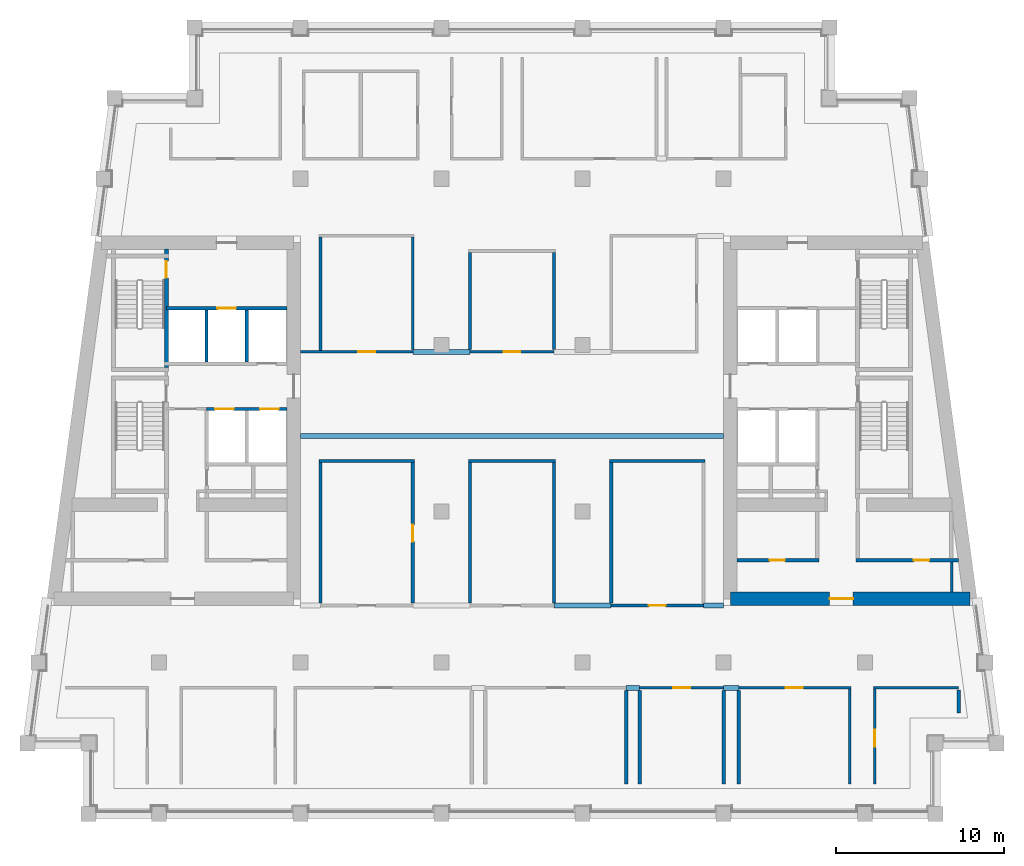
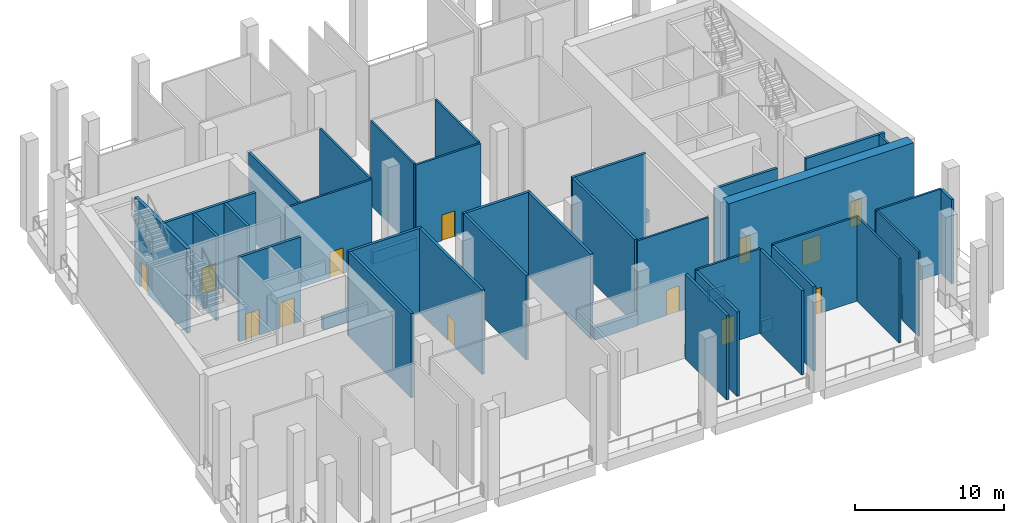
# One storey, part 3 of 10: 40 walls, 14 doors, 14 openings.
"""IFC4 building model written with IfcOpenShell, lengths in metres."""

from ifc_helpers import new_model, si_unit, direction, frame, frame_2d, origin, place, context, subcontext, project, spatial, rectangle, extrude, material, layer, layer_set, type_object, element, fill, save


model = new_model("IFC4")

# Units and contexts
model_context = context("Model", 3, precision=1e-05, world=origin(), true_north=direction((0.0, 1.0)))
body_context = subcontext(model_context, "Body", "Model", "MODEL_VIEW")
ifc_project = project(units=[si_unit("LENGTHUNIT", "METRE"), si_unit("AREAUNIT", "SQUARE_METRE"), si_unit("VOLUMEUNIT", "CUBIC_METRE"), si_unit("PLANEANGLEUNIT", "RADIAN"), si_unit("MASSUNIT", "GRAM", prefix="KILO")], contexts=[model_context])

# Site, building, storey
site_placement = place(None, origin())
site = spatial("IfcSite", under=ifc_project, at=site_placement, CompositionType="ELEMENT")
building_placement = place(site_placement, origin())
building = spatial("IfcBuilding", under=site, at=building_placement, Name="Candeia Pilgrim Tower and Theatre", CompositionType="ELEMENT")
storey_placement = place(building_placement, frame((0.0, 0.0, 246.60009765625)))
storey = spatial("IfcBuildingStorey", under=building, at=storey_placement, Name="L60", CompositionType="ELEMENT", Elevation=246.60009765625)

# Wall, opening, door
ifc_material_1 = material(Name="Concrete C50/60", Category="concrete")
ifc_layer_1 = layer(ifc_material_1, 0.800048828125)
ifc_layer_set_1 = layer_set([ifc_layer_1], Name="Core wall 800 C50/60")
wall_type_1 = type_object("IfcWallType", Name="Core wall 800 C50/60", PredefinedType="SHEAR", material=ifc_layer_set_1)
wall_1_placement = place(storey_placement, frame((140.67333984375, 110.800048828125, 0.0), z_axis=(0.0, 0.0, 1.0), x_axis=(-1.0, 0.0, 0.0)))
wall_1 = element("IfcWall", 1, at=wall_1_placement, inside=storey, type_object=wall_type_1, Name="Core wall E3", PredefinedType="SHEAR", context=body_context, shape_type="SweptSolid", body=[
    extrude(rectangle(XDim=14.2734375, YDim=0.800048828125, at=frame_2d((7.13671875, 0.0))), origin(), (0.0, 0.0, 1.0), 7.39990234375),
])
opening_1_placement = place(wall_1_placement, frame((6.96533203125, 0.0, 0.0)))
opening_1 = element("IfcOpeningElement", 2, at=opening_1_placement, cuts=wall_1, Name="Opening L60-D037", PredefinedType="OPENING", context=body_context, shape_type="SweptSolid", body=[
    extrude(rectangle(XDim=1.39990234375, YDim=2.10009765625, at=frame_2d((0.699951171875, 1.050048828125))), frame((0.0, 0.41015625, 0.0), z_axis=(0.0, -1.0, 0.0), x_axis=(1.0, 0.0, 0.0)), (0.0, 0.0, 1.0), 0.820068359375),
])
ifc_material_2 = material(Name="Steel fire door set", Category="steel")
door_type_1 = type_object("IfcDoorType", Name="D-1400-FD60", OperationType="NOTDEFINED", PredefinedType="DOOR", material=ifc_material_2)
door_1_placement = place(opening_1_placement, origin())
door_1 = element("IfcDoor", 3, at=door_1_placement, inside=storey, type_object=door_type_1, Name="Door L60-D037", OperationType="SINGLE_SWING_LEFT", OverallHeight=2.10009765625, OverallWidth=1.39990234375, PredefinedType="DOOR", context=body_context, shape_type="SweptSolid", body=[
    extrude(rectangle(XDim=1.39990234375, YDim=2.10009765625, at=frame_2d((0.699951171875, 1.050048828125))), frame((0.0, 0.02490234375, 0.0), z_axis=(0.0, -1.0, 0.0), x_axis=(1.0, 0.0, 0.0)), (0.0, 0.0, 1.0), 0.050048828125),
])
fill(opening_1, door_1)

# Walls
ifc_material_3 = material(Name="Concrete C30/37", Category="concrete")
ifc_layer_2 = layer(ifc_material_3, 0.300048828125)
ifc_layer_set_2 = layer_set([ifc_layer_2], Name="PL-300 planter kerb")
wall_type_2 = type_object("IfcWallType", Name="PL-300 planter kerb", PredefinedType="PARTITIONING", material=ifc_layer_set_2)
wall_2_placement = place(storey_placement, frame((120.199951171875, 105.5, 0.0), z_axis=(0.0, 0.0, 1.0), x_axis=(1.0, 0.0, 0.0)))
element("IfcWall", 4, at=wall_2_placement, inside=storey, type_object=wall_type_2, Name="Planter kerb L60-002", PredefinedType="PARTITIONING", context=body_context, shape_type="SweptSolid", body=[
    extrude(rectangle(XDim=0.800048828125, YDim=0.300048828125, at=frame_2d((0.39990234375, 0.0))), origin(), (0.0, 0.0, 1.0), 1.0),
])
wall_3_placement = place(storey_placement, frame((126.0, 105.5, 0.0), z_axis=(0.0, 0.0, 1.0), x_axis=(1.0, 0.0, 0.0)))
element("IfcWall", 5, at=wall_3_placement, inside=storey, type_object=wall_type_2, Name="Planter kerb L60-003", PredefinedType="PARTITIONING", context=body_context, shape_type="SweptSolid", body=[
    extrude(rectangle(XDim=0.89990234375, YDim=0.300048828125, at=frame_2d((0.449951171875, 0.0))), origin(), (0.0, 0.0, 1.0), 1.0),
])
wall_4_placement = place(storey_placement, frame((115.89990234375, 110.39990234375, 0.0), z_axis=(0.0, 0.0, 1.0), x_axis=(1.0, 0.0, 0.0)))
element("IfcWall", 6, at=wall_4_placement, inside=storey, type_object=wall_type_2, Name="Planter kerb L60-013", PredefinedType="PARTITIONING", context=body_context, shape_type="SweptSolid", body=[
    extrude(rectangle(XDim=3.400146484375, YDim=0.300048828125, at=frame_2d((1.7001953125, 0.0))), origin(), (0.0, 0.0, 1.0), 1.0),
])
wall_5_placement = place(storey_placement, frame((124.800048828125, 110.39990234375, 0.0), z_axis=(0.0, 0.0, 1.0), x_axis=(1.0, 0.0, 0.0)))
element("IfcWall", 7, at=wall_5_placement, inside=storey, type_object=wall_type_2, Name="Planter kerb L60-014", PredefinedType="PARTITIONING", context=body_context, shape_type="SweptSolid", body=[
    extrude(rectangle(XDim=1.199951171875, YDim=0.300048828125, at=frame_2d((0.60009765625, 0.0))), origin(), (0.0, 0.0, 1.0), 1.0),
])
wall_6_placement = place(storey_placement, frame((100.800048828125, 120.5, 0.0), z_axis=(0.0, 0.0, 1.0), x_axis=(1.0, 0.0, 0.0)))
element("IfcWall", 8, at=wall_6_placement, inside=storey, type_object=wall_type_2, Name="Planter kerb L60-033", PredefinedType="PARTITIONING", context=body_context, shape_type="SweptSolid", body=[
    extrude(rectangle(XDim=25.199951171875, YDim=0.300048828125, at=frame_2d((12.60009765625, 0.0))), origin(), (0.0, 0.0, 1.0), 1.0),
])
wall_7_placement = place(storey_placement, frame((107.5, 125.5, 0.0), z_axis=(0.0, 0.0, 1.0), x_axis=(1.0, 0.0, 0.0)))
element("IfcWall", 9, at=wall_7_placement, inside=storey, type_object=wall_type_2, Name="Planter kerb L60-045", PredefinedType="PARTITIONING", context=body_context, shape_type="SweptSolid", body=[
    extrude(rectangle(XDim=3.39990234375, YDim=0.300048828125, at=frame_2d((1.699951171875, 0.0))), origin(), (0.0, 0.0, 1.0), 1.0),
])
ifc_material_4 = material(Name="Gypsum board partition on steel studs", Category="steel")
ifc_layer_3 = layer(ifc_material_4, 0.14990234375)
ifc_layer_set_3 = layer_set([ifc_layer_3], Name="PW-150 lobby wall")
wall_type_3 = type_object("IfcWallType", Name="PW-150 lobby wall", PredefinedType="PARTITIONING", material=ifc_layer_set_3)
wall_8_placement = place(storey_placement, frame((139.572998046875, 111.199951171875, 0.0), z_axis=(0.0, 0.0, 1.0), x_axis=(0.0, 1.0, 0.0)))
element("IfcWall", 10, at=wall_8_placement, inside=storey, type_object=wall_type_3, Name="Lobby wall L60-135", PredefinedType="PARTITIONING", context=body_context, shape_type="SweptSolid", body=[
    extrude(rectangle(XDim=1.800048828125, YDim=0.14990234375, at=frame_2d((0.89990234375, 0.0))), origin(), (0.0, 0.0, 1.0), 6.89990234375),
])

# Wall, opening, door
ifc_layer_4 = layer(ifc_material_4, 0.14990234375)
ifc_layer_set_4 = layer_set([ifc_layer_4], Name="PW-150 unit wall")
wall_type_4 = type_object("IfcWallType", Name="PW-150 unit wall", PredefinedType="PARTITIONING", material=ifc_layer_set_4)
wall_9_placement = place(storey_placement, frame((121.0, 105.5, 0.0), z_axis=(0.0, 0.0, 1.0), x_axis=(1.0, 0.0, 0.0)))
wall_9 = element("IfcWall", 11, at=wall_9_placement, inside=storey, type_object=wall_type_4, Name="Unit wall L60-008", PredefinedType="PARTITIONING", context=body_context, shape_type="SweptSolid", body=[
    extrude(rectangle(XDim=5.0, YDim=0.14990234375, at=frame_2d((2.5, 0.0))), origin(), (0.0, 0.0, 1.0), 6.89990234375),
])
opening_2_placement = place(wall_9_placement, frame((2.0, 0.0, 0.0)))
opening_2 = element("IfcOpeningElement", 12, at=opening_2_placement, cuts=wall_9, Name="Opening L60-D002", PredefinedType="OPENING", context=body_context, shape_type="SweptSolid", body=[
    extrude(rectangle(XDim=1.0, YDim=2.10009765625, at=frame_2d((0.5, 1.050048828125))), frame((0.0, 0.0849609375, 0.0), z_axis=(0.0, -1.0, 0.0), x_axis=(1.0, 0.0, 0.0)), (0.0, 0.0, 1.0), 0.169921875),
])
ifc_material_5 = material(Name="Timber door leaf", Category="wood")
door_type_2 = type_object("IfcDoorType", Name="D-1000", OperationType="NOTDEFINED", PredefinedType="DOOR", material=ifc_material_5)
door_2_placement = place(opening_2_placement, origin())
door_2 = element("IfcDoor", 13, at=door_2_placement, inside=storey, type_object=door_type_2, Name="Door L60-D002", OperationType="SINGLE_SWING_RIGHT", OverallHeight=2.10009765625, OverallWidth=1.0, PredefinedType="DOOR", context=body_context, shape_type="SweptSolid", body=[
    extrude(rectangle(XDim=1.0, YDim=2.10009765625, at=frame_2d((0.5, 1.050048828125))), frame((0.0, 0.02490234375, 0.0), z_axis=(0.0, -1.0, 0.0), x_axis=(1.0, 0.0, 0.0)), (0.0, 0.0, 1.0), 0.050048828125),
])
fill(opening_2, door_2)

wall_10_placement = place(storey_placement, frame((126.89990234375, 105.5, 0.0), z_axis=(0.0, 0.0, 1.0), x_axis=(1.0, 0.0, 0.0)))
wall_10 = element("IfcWall", 14, at=wall_10_placement, inside=storey, type_object=wall_type_4, Name="Unit wall L60-009", PredefinedType="PARTITIONING", context=body_context, shape_type="SweptSolid", body=[
    extrude(rectangle(XDim=6.675048828125, YDim=0.14990234375, at=frame_2d((3.33740234375, 0.0))), origin(), (0.0, 0.0, 1.0), 6.89990234375),
])
opening_3_placement = place(wall_10_placement, frame((2.800048828125, 0.0, 0.0)))
opening_3 = element("IfcOpeningElement", 15, at=opening_3_placement, cuts=wall_10, Name="Opening L60-D012", PredefinedType="OPENING", context=body_context, shape_type="SweptSolid", body=[
    extrude(rectangle(XDim=1.0, YDim=2.10009765625, at=frame_2d((0.5, 1.050048828125))), frame((0.0, 0.0849609375, 0.0), z_axis=(0.0, -1.0, 0.0), x_axis=(1.0, 0.0, 0.0)), (0.0, 0.0, 1.0), 0.169921875),
])
door_3_placement = place(opening_3_placement, origin())
door_3 = element("IfcDoor", 16, at=door_3_placement, inside=storey, type_object=door_type_2, Name="Door L60-D012", OperationType="SINGLE_SWING_RIGHT", OverallHeight=2.10009765625, OverallWidth=1.0, PredefinedType="DOOR", context=body_context, shape_type="SweptSolid", body=[
    extrude(rectangle(XDim=1.0, YDim=2.10009765625, at=frame_2d((0.5, 1.050048828125))), frame((0.0, 0.02490234375, 0.0), z_axis=(0.0, -1.0, 0.0), x_axis=(1.0, 0.0, 0.0)), (0.0, 0.0, 1.0), 0.050048828125),
])
fill(opening_3, door_3)

# Wall
wall_11_placement = place(storey_placement, frame((134.925048828125, 105.5, 0.0), z_axis=(0.0, 0.0, 1.0), x_axis=(1.0, 0.0, 0.0)))
element("IfcWall", 17, at=wall_11_placement, inside=storey, type_object=wall_type_4, Name="Unit wall L60-010", PredefinedType="PARTITIONING", context=body_context, shape_type="SweptSolid", body=[
    extrude(rectangle(XDim=5.05908203125, YDim=0.14990234375, at=frame_2d((2.529541015625, 0.0))), origin(), (0.0, 0.0, 1.0), 6.89990234375),
])

# Wall, opening, door
wall_12_placement = place(storey_placement, frame((119.300048828125, 110.39990234375, 0.0), z_axis=(0.0, 0.0, 1.0), x_axis=(1.0, 0.0, 0.0)))
wall_12 = element("IfcWall", 18, at=wall_12_placement, inside=storey, type_object=wall_type_4, Name="Unit wall L60-017", PredefinedType="PARTITIONING", context=body_context, shape_type="SweptSolid", body=[
    extrude(rectangle(XDim=5.5, YDim=0.14990234375, at=frame_2d((2.75, 0.0))), origin(), (0.0, 0.0, 1.0), 6.89990234375),
])
opening_4_placement = place(wall_12_placement, frame((2.25, 0.0, 0.0)))
opening_4 = element("IfcOpeningElement", 19, at=opening_4_placement, cuts=wall_12, Name="Opening L60-D018", PredefinedType="OPENING", context=body_context, shape_type="SweptSolid", body=[
    extrude(rectangle(XDim=1.0, YDim=2.10009765625, at=frame_2d((0.5, 1.050048828125))), frame((0.0, 0.0849609375, 0.0), z_axis=(0.0, -1.0, 0.0), x_axis=(1.0, 0.0, 0.0)), (0.0, 0.0, 1.0), 0.169921875),
])
door_4_placement = place(opening_4_placement, origin())
door_4 = element("IfcDoor", 20, at=door_4_placement, inside=storey, type_object=door_type_2, Name="Door L60-D018", OperationType="SINGLE_SWING_RIGHT", OverallHeight=2.10009765625, OverallWidth=1.0, PredefinedType="DOOR", context=body_context, shape_type="SweptSolid", body=[
    extrude(rectangle(XDim=1.0, YDim=2.10009765625, at=frame_2d((0.5, 1.050048828125))), frame((0.0, 0.02490234375, 0.0), z_axis=(0.0, -1.0, 0.0), x_axis=(1.0, 0.0, 0.0)), (0.0, 0.0, 1.0), 0.050048828125),
])
fill(opening_4, door_4)

wall_13_placement = place(storey_placement, frame((100.800048828125, 125.5, 0.0), z_axis=(0.0, 0.0, 1.0), x_axis=(1.0, 0.0, 0.0)))
wall_13 = element("IfcWall", 21, at=wall_13_placement, inside=storey, type_object=wall_type_4, Name="Unit wall L60-047", PredefinedType="PARTITIONING", context=body_context, shape_type="SweptSolid", body=[
    extrude(rectangle(XDim=6.699951171875, YDim=0.14990234375, at=frame_2d((3.35009765625, 0.0))), origin(), (0.0, 0.0, 1.0), 6.89990234375),
])
opening_5_placement = place(wall_13_placement, frame((3.449951171875, 0.0, 0.0)))
opening_5 = element("IfcOpeningElement", 22, at=opening_5_placement, cuts=wall_13, Name="Opening L60-D019", PredefinedType="OPENING", context=body_context, shape_type="SweptSolid", body=[
    extrude(rectangle(XDim=1.0, YDim=2.10009765625, at=frame_2d((0.5, 1.050048828125))), frame((0.0, 0.0849609375, 0.0), z_axis=(0.0, -1.0, 0.0), x_axis=(1.0, 0.0, 0.0)), (0.0, 0.0, 1.0), 0.169921875),
])
door_5_placement = place(opening_5_placement, origin())
door_5 = element("IfcDoor", 23, at=door_5_placement, inside=storey, type_object=door_type_2, Name="Door L60-D019", OperationType="SINGLE_SWING_LEFT", OverallHeight=2.10009765625, OverallWidth=1.0, PredefinedType="DOOR", context=body_context, shape_type="SweptSolid", body=[
    extrude(rectangle(XDim=1.0, YDim=2.10009765625, at=frame_2d((0.5, 1.050048828125))), frame((0.0, 0.02490234375, 0.0), z_axis=(0.0, -1.0, 0.0), x_axis=(1.0, 0.0, 0.0)), (0.0, 0.0, 1.0), 0.050048828125),
])
fill(opening_5, door_5)

wall_14_placement = place(storey_placement, frame((110.89990234375, 125.5, 0.0), z_axis=(0.0, 0.0, 1.0), x_axis=(1.0, 0.0, 0.0)))
wall_14 = element("IfcWall", 24, at=wall_14_placement, inside=storey, type_object=wall_type_4, Name="Unit wall L60-048", PredefinedType="PARTITIONING", context=body_context, shape_type="SweptSolid", body=[
    extrude(rectangle(XDim=5.0, YDim=0.14990234375, at=frame_2d((2.5, 0.0))), origin(), (0.0, 0.0, 1.0), 6.89990234375),
])
opening_6_placement = place(wall_14_placement, frame((2.0, 0.0, 0.0)))
opening_6 = element("IfcOpeningElement", 25, at=opening_6_placement, cuts=wall_14, Name="Opening L60-D003", PredefinedType="OPENING", context=body_context, shape_type="SweptSolid", body=[
    extrude(rectangle(XDim=1.0, YDim=2.10009765625, at=frame_2d((0.5, 1.050048828125))), frame((0.0, 0.0849609375, 0.0), z_axis=(0.0, -1.0, 0.0), x_axis=(1.0, 0.0, 0.0)), (0.0, 0.0, 1.0), 0.169921875),
])
door_6_placement = place(opening_6_placement, origin())
door_6 = element("IfcDoor", 26, at=door_6_placement, inside=storey, type_object=door_type_2, Name="Door L60-D003", OperationType="SINGLE_SWING_LEFT", OverallHeight=2.10009765625, OverallWidth=1.0, PredefinedType="DOOR", context=body_context, shape_type="SweptSolid", body=[
    extrude(rectangle(XDim=1.0, YDim=2.10009765625, at=frame_2d((0.5, 1.050048828125))), frame((0.0, 0.02490234375, 0.0), z_axis=(0.0, -1.0, 0.0), x_axis=(1.0, 0.0, 0.0)), (0.0, 0.0, 1.0), 0.050048828125),
])
fill(opening_6, door_6)

# Walls
wall_15_placement = place(storey_placement, frame((107.5, 125.64990234375, 0.0), z_axis=(0.0, 0.0, 1.0), x_axis=(0.0, 1.0, 0.0)))
element("IfcWall", 27, at=wall_15_placement, inside=storey, type_object=wall_type_4, Name="Unit wall L60-094", PredefinedType="PARTITIONING", context=body_context, shape_type="SweptSolid", body=[
    extrude(rectangle(XDim=6.675048828125, YDim=0.14990234375, at=frame_2d((3.33740234375, 0.0))), origin(), (0.0, 0.0, 1.0), 6.89990234375),
])
for number, where, z_axis, x_axis, name in (
    (28, (110.89990234375, 125.64990234375, 0.0), (0.0, 0.0, 1.0), (0.0, 1.0, 0.0), "Unit wall L60-098"),
    (29, (115.89990234375, 125.64990234375, 0.0), (0.0, 0.0, 1.0), (0.0, 1.0, 0.0), "Unit wall L60-104"),
):
    element("IfcWall", number, at=place(storey_placement, frame(where, z_axis=z_axis, x_axis=x_axis)), inside=storey, type_object=wall_type_4, Name=name, PredefinedType="PARTITIONING", context=body_context, shape_type="SweptSolid", body=[
        extrude(rectangle(XDim=5.775146484375, YDim=0.14990234375, at=frame_2d((2.8876953125, 0.0))), origin(), (0.0, 0.0, 1.0), 6.89990234375),
    ])
wall_16_placement = place(storey_placement, frame((133.5, 99.7900390625, 0.0), z_axis=(0.0, 0.0, 1.0), x_axis=(0.0, 1.0, 0.0)))
element("IfcWall", 30, at=wall_16_placement, inside=storey, type_object=wall_type_4, Name="Unit wall L60-125", PredefinedType="PARTITIONING", context=body_context, shape_type="SweptSolid", body=[
    extrude(rectangle(XDim=5.635009765625, YDim=0.14990234375, at=frame_2d((2.8173828125, 0.0))), origin(), (0.0, 0.0, 1.0), 6.89990234375),
])

# Wall, opening, door
wall_17_placement = place(storey_placement, frame((135.0, 99.7900390625, 0.0), z_axis=(0.0, 0.0, 1.0), x_axis=(0.0, 1.0, 0.0)))
wall_17 = element("IfcWall", 31, at=wall_17_placement, inside=storey, type_object=wall_type_4, Name="Unit wall L60-131", PredefinedType="PARTITIONING", context=body_context, shape_type="SweptSolid", body=[
    extrude(rectangle(XDim=5.635009765625, YDim=0.14990234375, at=frame_2d((2.8173828125, 0.0))), origin(), (0.0, 0.0, 1.0), 6.89990234375),
])
opening_7_placement = place(wall_17_placement, frame((2.2099609375, 0.0, 0.0)))
opening_7 = element("IfcOpeningElement", 32, at=opening_7_placement, cuts=wall_17, Name="Opening L60-D013", PredefinedType="OPENING", context=body_context, shape_type="SweptSolid", body=[
    extrude(rectangle(XDim=1.0, YDim=2.10009765625, at=frame_2d((0.5, 1.050048828125))), frame((0.0, 0.0849609375, 0.0), z_axis=(0.0, -1.0, 0.0), x_axis=(1.0, 0.0, 0.0)), (0.0, 0.0, 1.0), 0.169921875),
])
door_7_placement = place(opening_7_placement, origin())
door_7 = element("IfcDoor", 33, at=door_7_placement, inside=storey, type_object=door_type_2, Name="Door L60-D013", OperationType="SINGLE_SWING_LEFT", OverallHeight=2.10009765625, OverallWidth=1.0, PredefinedType="DOOR", context=body_context, shape_type="SweptSolid", body=[
    extrude(rectangle(XDim=1.0, YDim=2.10009765625, at=frame_2d((0.5, 1.050048828125))), frame((0.0, 0.02490234375, 0.0), z_axis=(0.0, -1.0, 0.0), x_axis=(1.0, 0.0, 0.0)), (0.0, 0.0, 1.0), 0.050048828125),
])
fill(opening_7, door_7)

# Walls
ifc_layer_5 = layer(ifc_material_4, 0.199951171875)
ifc_layer_set_5 = layer_set([ifc_layer_5], Name="PW-200 party wall")
wall_type_5 = type_object("IfcWallType", Name="PW-200 party wall", PredefinedType="PARTITIONING", material=ifc_layer_set_5)
wall_18_placement = place(storey_placement, frame((101.89990234375, 119.0, 0.0), z_axis=(0.0, 0.0, 1.0), x_axis=(1.0, 0.0, 0.0)))
element("IfcWall", 34, at=wall_18_placement, inside=storey, type_object=wall_type_5, Name="Party wall L60-030", PredefinedType="PARTITIONING", context=body_context, shape_type="SweptSolid", body=[
    extrude(rectangle(XDim=5.7001953125, YDim=0.199951171875, at=frame_2d((2.85009765625, 0.0))), origin(), (0.0, 0.0, 1.0), 6.89990234375),
])
wall_19_placement = place(storey_placement, frame((110.800048828125, 119.0, 0.0), z_axis=(0.0, 0.0, 1.0), x_axis=(1.0, 0.0, 0.0)))
element("IfcWall", 35, at=wall_19_placement, inside=storey, type_object=wall_type_5, Name="Party wall L60-031", PredefinedType="PARTITIONING", context=body_context, shape_type="SweptSolid", body=[
    extrude(rectangle(XDim=5.199951171875, YDim=0.199951171875, at=frame_2d((2.60009765625, 0.0))), origin(), (0.0, 0.0, 1.0), 6.89990234375),
])
wall_20_placement = place(storey_placement, frame((119.199951171875, 119.0, 0.0), z_axis=(0.0, 0.0, 1.0), x_axis=(1.0, 0.0, 0.0)))
element("IfcWall", 36, at=wall_20_placement, inside=storey, type_object=wall_type_5, Name="Party wall L60-032", PredefinedType="PARTITIONING", context=body_context, shape_type="SweptSolid", body=[
    extrude(rectangle(XDim=5.699951171875, YDim=0.199951171875, at=frame_2d((2.85009765625, 0.0))), origin(), (0.0, 0.0, 1.0), 6.89990234375),
])
wall_21_placement = place(storey_placement, frame((102.0, 110.550048828125, 0.0), z_axis=(0.0, 0.0, 1.0), x_axis=(0.0, 1.0, 0.0)))
element("IfcWall", 37, at=wall_21_placement, inside=storey, type_object=wall_type_5, Name="Party wall L60-090", PredefinedType="PARTITIONING", context=body_context, shape_type="SweptSolid", body=[
    extrude(rectangle(XDim=8.349853515625, YDim=0.199951171875, at=frame_2d((4.1748046875, 0.0))), origin(), (0.0, 0.0, 1.0), 6.89990234375),
])
wall_22_placement = place(storey_placement, frame((102.0, 125.574951171875, 0.0), z_axis=(0.0, 0.0, 1.0), x_axis=(0.0, 1.0, 0.0)))
element("IfcWall", 38, at=wall_22_placement, inside=storey, type_object=wall_type_5, Name="Party wall L60-091", PredefinedType="PARTITIONING", context=body_context, shape_type="SweptSolid", body=[
    extrude(rectangle(XDim=6.75, YDim=0.199951171875, at=frame_2d((3.375, 0.0))), origin(), (0.0, 0.0, 1.0), 6.89990234375),
])

# Wall, opening, door
wall_23_placement = place(storey_placement, frame((107.5, 110.550048828125, 0.0), z_axis=(0.0, 0.0, 1.0), x_axis=(0.0, 1.0, 0.0)))
wall_23 = element("IfcWall", 39, at=wall_23_placement, inside=storey, type_object=wall_type_5, Name="Party wall L60-093", PredefinedType="PARTITIONING", context=body_context, shape_type="SweptSolid", body=[
    extrude(rectangle(XDim=8.349853515625, YDim=0.199951171875, at=frame_2d((4.1748046875, 0.0))), origin(), (0.0, 0.0, 1.0), 6.89990234375),
])
opening_8_placement = place(wall_23_placement, frame((3.64990234375, 0.0, 0.0)))
opening_8 = element("IfcOpeningElement", 40, at=opening_8_placement, cuts=wall_23, Name="Opening L60-D021", PredefinedType="OPENING", context=body_context, shape_type="SweptSolid", body=[
    extrude(rectangle(XDim=1.0, YDim=2.10009765625, at=frame_2d((0.5, 1.050048828125))), frame((0.0, 0.10986328125, 0.0), z_axis=(0.0, -1.0, 0.0), x_axis=(1.0, 0.0, 0.0)), (0.0, 0.0, 1.0), 0.219970703125),
])
door_8_placement = place(opening_8_placement, origin())
door_8 = element("IfcDoor", 41, at=door_8_placement, inside=storey, type_object=door_type_2, Name="Door L60-D021", OperationType="SINGLE_SWING_LEFT", OverallHeight=2.10009765625, OverallWidth=1.0, PredefinedType="DOOR", context=body_context, shape_type="SweptSolid", body=[
    extrude(rectangle(XDim=1.0, YDim=2.10009765625, at=frame_2d((0.5, 1.050048828125))), frame((0.0, 0.02490234375, 0.0), z_axis=(0.0, -1.0, 0.0), x_axis=(1.0, 0.0, 0.0)), (0.0, 0.0, 1.0), 0.050048828125),
])
fill(opening_8, door_8)

# Walls
for number, where, z_axis, x_axis, name in (
    (42, (110.89990234375, 110.550048828125, 0.0), (0.0, 0.0, 1.0), (0.0, 1.0, 0.0), "Party wall L60-097"),
    (43, (115.89990234375, 110.550048828125, 0.0), (0.0, 0.0, 1.0), (0.0, 1.0, 0.0), "Party wall L60-103"),
    (44, (119.300048828125, 110.550048828125, 0.0), (0.0, 0.0, 1.0), (0.0, 1.0, 0.0), "Party wall L60-105"),
):
    element("IfcWall", number, at=place(storey_placement, frame(where, z_axis=z_axis, x_axis=x_axis)), inside=storey, type_object=wall_type_5, Name=name, PredefinedType="PARTITIONING", context=body_context, shape_type="SweptSolid", body=[
        extrude(rectangle(XDim=8.349853515625, YDim=0.199951171875, at=frame_2d((4.1748046875, 0.0))), origin(), (0.0, 0.0, 1.0), 6.89990234375),
    ])
for number, where, z_axis, x_axis, name in (
    (45, (120.199951171875, 99.7900390625, 0.0), (0.0, 0.0, 1.0), (0.0, 1.0, 0.0), "Party wall L60-107"),
    (46, (121.0, 99.7900390625, 0.0), (0.0, 0.0, 1.0), (0.0, 1.0, 0.0), "Party wall L60-108"),
    (47, (126.0, 99.7900390625, 0.0), (0.0, 0.0, 1.0), (0.0, 1.0, 0.0), "Party wall L60-113"),
    (48, (126.89990234375, 99.7900390625, 0.0), (0.0, 0.0, 1.0), (0.0, 1.0, 0.0), "Party wall L60-114"),
):
    element("IfcWall", number, at=place(storey_placement, frame(where, z_axis=z_axis, x_axis=x_axis)), inside=storey, type_object=wall_type_5, Name=name, PredefinedType="PARTITIONING", context=body_context, shape_type="SweptSolid", body=[
        extrude(rectangle(XDim=5.56005859375, YDim=0.199951171875, at=frame_2d((2.780029296875, 0.0))), origin(), (0.0, 0.0, 1.0), 6.89990234375),
    ])
wall_24_placement = place(storey_placement, frame((140.0, 103.989990234375, 0.0), z_axis=(0.0, 0.0, 1.0), x_axis=(0.0, 1.0, 0.0)))
element("IfcWall", 49, at=wall_24_placement, inside=storey, type_object=wall_type_5, Name="Party wall L60-136", PredefinedType="PARTITIONING", context=body_context, shape_type="SweptSolid", body=[
    extrude(rectangle(XDim=1.392822265625, YDim=0.199951171875, at=frame_2d((0.6962890625, 0.0))), origin(), (0.0, 0.0, 1.0), 6.89990234375),
])

# Wall, opening, door
ifc_material_6 = material(Name="Concrete C40/50", Category="concrete")
ifc_layer_6 = layer(ifc_material_6, 0.199951171875)
ifc_layer_set_6 = layer_set([ifc_layer_6], Name="SW-200 shaft wall")
wall_type_6 = type_object("IfcWallType", Name="SW-200 shaft wall", PredefinedType="PARTITIONING", material=ifc_layer_set_6)
wall_25_placement = place(storey_placement, frame((126.800048828125, 113.10009765625, 0.0), z_axis=(0.0, 0.0, 1.0), x_axis=(1.0, 0.0, 0.0)))
wall_25 = element("IfcWall", 50, at=wall_25_placement, inside=storey, type_object=wall_type_6, Name="Shaft wall L60-020", PredefinedType="PARTITIONING", context=body_context, shape_type="SweptSolid", body=[
    extrude(rectangle(XDim=4.873046875, YDim=0.199951171875, at=frame_2d((2.4365234375, 0.0))), origin(), (0.0, 0.0, 1.0), 6.89990234375),
])
opening_9_placement = place(wall_25_placement, frame((1.93603515625, 0.0, 0.0)))
opening_9 = element("IfcOpeningElement", 51, at=opening_9_placement, cuts=wall_25, Name="Opening L60-D033", PredefinedType="OPENING", context=body_context, shape_type="SweptSolid", body=[
    extrude(rectangle(XDim=0.89990234375, YDim=2.10009765625, at=frame_2d((0.449951171875, 1.050048828125))), frame((0.0, 0.10986328125, 0.0), z_axis=(0.0, -1.0, 0.0), x_axis=(1.0, 0.0, 0.0)), (0.0, 0.0, 1.0), 0.219970703125),
])
door_type_3 = type_object("IfcDoorType", Name="D-900-FD60", OperationType="NOTDEFINED", PredefinedType="DOOR", material=ifc_material_2)
door_9_placement = place(opening_9_placement, origin())
door_9 = element("IfcDoor", 52, at=door_9_placement, inside=storey, type_object=door_type_3, Name="Door L60-D033", OperationType="SINGLE_SWING_LEFT", OverallHeight=2.10009765625, OverallWidth=0.89990234375, PredefinedType="DOOR", context=body_context, shape_type="SweptSolid", body=[
    extrude(rectangle(XDim=0.89990234375, YDim=2.10009765625, at=frame_2d((0.449951171875, 1.050048828125))), frame((0.0, 0.02490234375, 0.0), z_axis=(0.0, -1.0, 0.0), x_axis=(1.0, 0.0, 0.0)), (0.0, 0.0, 1.0), 0.050048828125),
])
fill(opening_9, door_9)

wall_26_placement = place(storey_placement, frame((133.873046875, 113.10009765625, 0.0), z_axis=(0.0, 0.0, 1.0), x_axis=(1.0, 0.0, 0.0)))
wall_26 = element("IfcWall", 53, at=wall_26_placement, inside=storey, type_object=wall_type_6, Name="Shaft wall L60-021", PredefinedType="PARTITIONING", context=body_context, shape_type="SweptSolid", body=[
    extrude(rectangle(XDim=6.116943359375, YDim=0.199951171875, at=frame_2d((3.05859375, 0.0))), origin(), (0.0, 0.0, 1.0), 6.89990234375),
])
opening_10_placement = place(wall_26_placement, frame((3.449951171875, 0.0, 0.0)))
opening_10 = element("IfcOpeningElement", 54, at=opening_10_placement, cuts=wall_26, Name="Opening L60-D032", PredefinedType="OPENING", context=body_context, shape_type="SweptSolid", body=[
    extrude(rectangle(XDim=0.89990234375, YDim=2.10009765625, at=frame_2d((0.449951171875, 1.050048828125))), frame((0.0, 0.10986328125, 0.0), z_axis=(0.0, -1.0, 0.0), x_axis=(1.0, 0.0, 0.0)), (0.0, 0.0, 1.0), 0.219970703125),
])
door_10_placement = place(opening_10_placement, origin())
door_10 = element("IfcDoor", 55, at=door_10_placement, inside=storey, type_object=door_type_3, Name="Door L60-D032", OperationType="SINGLE_SWING_RIGHT", OverallHeight=2.10009765625, OverallWidth=0.89990234375, PredefinedType="DOOR", context=body_context, shape_type="SweptSolid", body=[
    extrude(rectangle(XDim=0.89990234375, YDim=2.10009765625, at=frame_2d((0.449951171875, 1.050048828125))), frame((0.0, 0.02490234375, 0.0), z_axis=(0.0, -1.0, 0.0), x_axis=(1.0, 0.0, 0.0)), (0.0, 0.0, 1.0), 0.050048828125),
])
fill(opening_10, door_10)

# Wall, openings, doors
wall_27_placement = place(storey_placement, frame((95.22705078125, 122.10009765625, 0.0), z_axis=(0.0, 0.0, 1.0), x_axis=(1.0, 0.0, 0.0)))
wall_27 = element("IfcWall", 56, at=wall_27_placement, inside=storey, type_object=wall_type_6, Name="Shaft wall L60-034", PredefinedType="PARTITIONING", context=body_context, shape_type="SweptSolid", body=[
    extrude(rectangle(XDim=4.77294921875, YDim=0.199951171875, at=frame_2d((2.386474609375, 0.0))), origin(), (0.0, 0.0, 1.0), 6.89990234375),
])
opening_11_placement = place(wall_27_placement, frame((0.4970703125, 0.0, 0.0)))
opening_11 = element("IfcOpeningElement", 57, at=opening_11_placement, cuts=wall_27, Name="Opening L60-LD01", PredefinedType="OPENING", context=body_context, shape_type="SweptSolid", body=[
    extrude(rectangle(XDim=1.10009765625, YDim=2.10009765625, at=frame_2d((0.550048828125, 1.050048828125))), frame((0.0, 0.10986328125, 0.0), z_axis=(0.0, -1.0, 0.0), x_axis=(1.0, 0.0, 0.0)), (0.0, 0.0, 1.0), 0.219970703125),
])
opening_12_placement = place(wall_27_placement, frame((3.176025390625, 0.0, 0.0)))
opening_12 = element("IfcOpeningElement", 58, at=opening_12_placement, cuts=wall_27, Name="Opening L60-LD02", PredefinedType="OPENING", context=body_context, shape_type="SweptSolid", body=[
    extrude(rectangle(XDim=1.10009765625, YDim=2.10009765625, at=frame_2d((0.550048828125, 1.050048828125))), frame((0.0, 0.10986328125, 0.0), z_axis=(0.0, -1.0, 0.0), x_axis=(1.0, 0.0, 0.0)), (0.0, 0.0, 1.0), 0.219970703125),
])
ifc_material_7 = material(Name="Glazed aluminium landing door", Category="aluminium")
door_type_4 = type_object("IfcDoorType", Name="LD-1100-EI120", OperationType="SLIDING_TO_LEFT", PredefinedType="DOOR", material=ifc_material_7)
door_11_placement = place(opening_11_placement, origin())
door_11 = element("IfcDoor", 59, at=door_11_placement, inside=storey, type_object=door_type_4, Name="Landing door 01 L60", OperationType="SLIDING_TO_LEFT", OverallHeight=2.10009765625, OverallWidth=1.10009765625, PredefinedType="DOOR", context=body_context, shape_type="SweptSolid", body=[
    extrude(rectangle(XDim=1.10009765625, YDim=2.10009765625, at=frame_2d((0.550048828125, 1.050048828125))), frame((0.0, 0.02490234375, 0.0), z_axis=(0.0, -1.0, 0.0), x_axis=(1.0, 0.0, 0.0)), (0.0, 0.0, 1.0), 0.050048828125),
])
fill(opening_11, door_11)
door_12_placement = place(opening_12_placement, origin())
door_12 = element("IfcDoor", 60, at=door_12_placement, inside=storey, type_object=door_type_4, Name="Landing door 02 L60", OperationType="SLIDING_TO_LEFT", OverallHeight=2.10009765625, OverallWidth=1.10009765625, PredefinedType="DOOR", context=body_context, shape_type="SweptSolid", body=[
    extrude(rectangle(XDim=1.10009765625, YDim=2.10009765625, at=frame_2d((0.550048828125, 1.050048828125))), frame((0.0, 0.02490234375, 0.0), z_axis=(0.0, -1.0, 0.0), x_axis=(1.0, 0.0, 0.0)), (0.0, 0.0, 1.0), 0.050048828125),
])
fill(opening_12, door_12)

# Wall, opening, door
wall_28_placement = place(storey_placement, frame((92.826904296875, 128.10009765625, 0.0), z_axis=(0.0, 0.0, 1.0), x_axis=(1.0, 0.0, 0.0)))
wall_28 = element("IfcWall", 61, at=wall_28_placement, inside=storey, type_object=wall_type_6, Name="Shaft wall L60-050", PredefinedType="PARTITIONING", context=body_context, shape_type="SweptSolid", body=[
    extrude(rectangle(XDim=7.173095703125, YDim=0.199951171875, at=frame_2d((3.58642578125, 0.0))), origin(), (0.0, 0.0, 1.0), 6.89990234375),
])
opening_13_placement = place(wall_28_placement, frame((3.035888671875, 0.0, 0.0)))
opening_13 = element("IfcOpeningElement", 62, at=opening_13_placement, cuts=wall_28, Name="Opening L60-LD03", PredefinedType="OPENING", context=body_context, shape_type="SweptSolid", body=[
    extrude(rectangle(XDim=1.10009765625, YDim=2.10009765625, at=frame_2d((0.550048828125, 1.050048828125))), frame((0.0, 0.10986328125, 0.0), z_axis=(0.0, -1.0, 0.0), x_axis=(1.0, 0.0, 0.0)), (0.0, 0.0, 1.0), 0.219970703125),
])
door_13_placement = place(opening_13_placement, origin())
door_13 = element("IfcDoor", 63, at=door_13_placement, inside=storey, type_object=door_type_4, Name="Landing door 03 L60", OperationType="SLIDING_TO_LEFT", OverallHeight=2.10009765625, OverallWidth=1.10009765625, PredefinedType="DOOR", context=body_context, shape_type="SweptSolid", body=[
    extrude(rectangle(XDim=1.10009765625, YDim=2.10009765625, at=frame_2d((0.550048828125, 1.050048828125))), frame((0.0, 0.02490234375, 0.0), z_axis=(0.0, -1.0, 0.0), x_axis=(1.0, 0.0, 0.0)), (0.0, 0.0, 1.0), 0.050048828125),
])
fill(opening_13, door_13)

# Walls
for number, where, z_axis, x_axis, name in (
    (64, (95.218017578125, 124.89990234375, 0.0), (0.0, 0.0, 1.0), (0.0, 1.0, 0.0), "Shaft wall L60-080"),
    (65, (97.60888671875, 124.89990234375, 0.0), (0.0, 0.0, 1.0), (0.0, 1.0, 0.0), "Shaft wall L60-083"),
):
    element("IfcWall", number, at=place(storey_placement, frame(where, z_axis=z_axis, x_axis=x_axis)), inside=storey, type_object=wall_type_6, Name=name, PredefinedType="PARTITIONING", context=body_context, shape_type="SweptSolid", body=[
        extrude(rectangle(XDim=3.10009765625, YDim=0.199951171875, at=frame_2d((1.550048828125, 0.0))), origin(), (0.0, 0.0, 1.0), 6.89990234375),
    ])

# Wall, opening, door
ifc_layer_7 = layer(ifc_material_6, 0.25)
ifc_layer_set_7 = layer_set([ifc_layer_7], Name="SW-250 stair wall")
wall_type_7 = type_object("IfcWallType", Name="SW-250 stair wall", PredefinedType="PARTITIONING", material=ifc_layer_set_7)
wall_29_placement = place(storey_placement, frame((92.826904296875, 124.574951171875, 0.0), z_axis=(0.0, 0.0, 1.0), x_axis=(0.0, 1.0, 0.0)))
wall_29 = element("IfcWall", 66, at=wall_29_placement, inside=storey, type_object=wall_type_7, Name="Stair wall L60-076", PredefinedType="PARTITIONING", context=body_context, shape_type="SweptSolid", body=[
    extrude(rectangle(XDim=7.054931640625, YDim=0.25, at=frame_2d((3.52734375, 0.0))), origin(), (0.0, 0.0, 1.0), 6.89990234375),
])
opening_14_placement = place(wall_29_placement, frame((5.324951171875, 0.0, 0.0)))
opening_14 = element("IfcOpeningElement", 67, at=opening_14_placement, cuts=wall_29, Name="Opening L60-D024", PredefinedType="OPENING", context=body_context, shape_type="SweptSolid", body=[
    extrude(rectangle(XDim=1.0, YDim=2.10009765625, at=frame_2d((0.5, 1.050048828125))), frame((0.0, 0.135009765625, 0.0), z_axis=(0.0, -1.0, 0.0), x_axis=(1.0, 0.0, 0.0)), (0.0, 0.0, 1.0), 0.27001953125),
])
door_type_5 = type_object("IfcDoorType", Name="D-1000-FD60", OperationType="NOTDEFINED", PredefinedType="DOOR", material=ifc_material_2)
door_14_placement = place(opening_14_placement, origin())
door_14 = element("IfcDoor", 68, at=door_14_placement, inside=storey, type_object=door_type_5, Name="Door L60-D024", OperationType="SINGLE_SWING_RIGHT", OverallHeight=2.10009765625, OverallWidth=1.0, PredefinedType="DOOR", context=body_context, shape_type="SweptSolid", body=[
    extrude(rectangle(XDim=1.0, YDim=2.10009765625, at=frame_2d((0.5, 1.050048828125))), frame((0.0, 0.02490234375, 0.0), z_axis=(0.0, -1.0, 0.0), x_axis=(1.0, 0.0, 0.0)), (0.0, 0.0, 1.0), 0.050048828125),
])
fill(opening_14, door_14)

save(model, "model.ifc")
